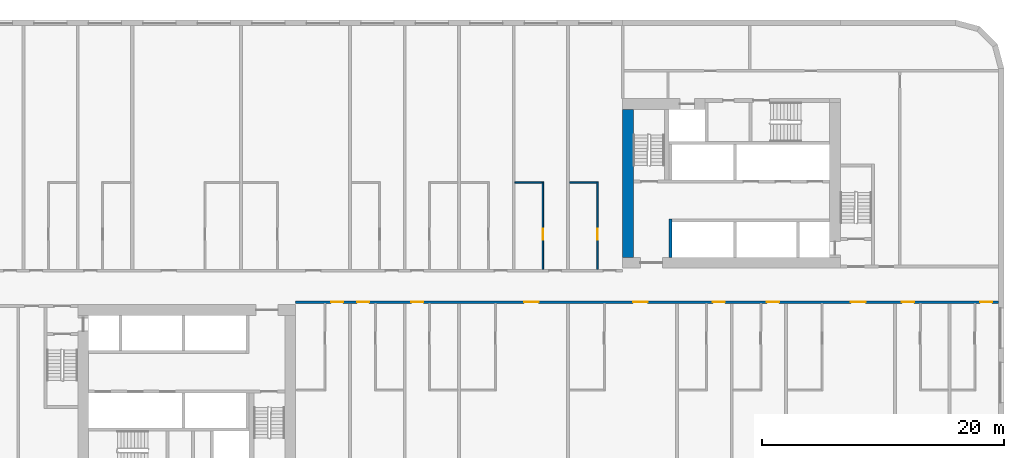
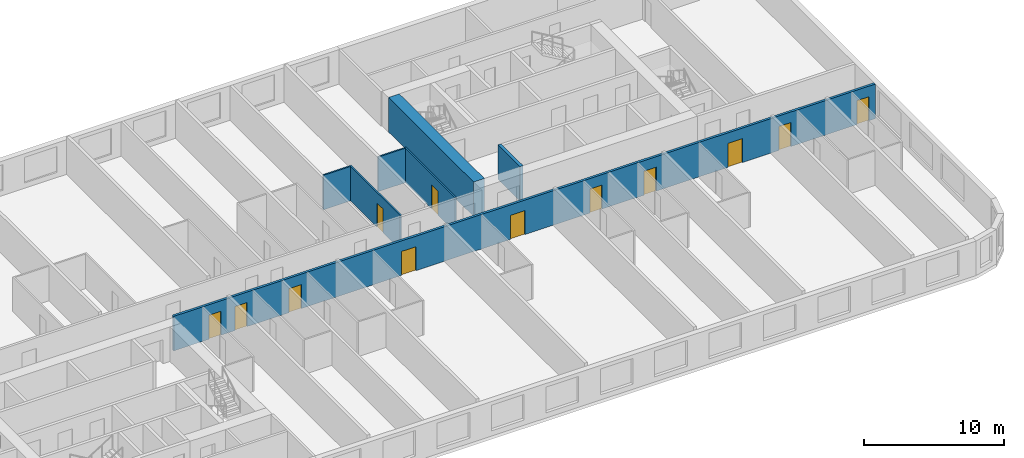
# One storey, part 5 of 12: 12 doors, 7 walls, 12 openings.
"""IFC4 building model written with IfcOpenShell, lengths in metres."""

from ifc_helpers import new_model, si_unit, direction, frame, frame_2d, origin, place, context, subcontext, project, spatial, rectangle, extrude, material, layer, layer_set, type_object, element, fill, save


model = new_model("IFC4")

# Units and contexts
model_context = context("Model", 3, precision=1e-05, world=origin(), true_north=direction((0.0, 1.0)))
body_context = subcontext(model_context, "Body", "Model", "MODEL_VIEW")
ifc_project = project(units=[si_unit("LENGTHUNIT", "METRE"), si_unit("AREAUNIT", "SQUARE_METRE"), si_unit("VOLUMEUNIT", "CUBIC_METRE"), si_unit("PLANEANGLEUNIT", "RADIAN"), si_unit("MASSUNIT", "GRAM", prefix="KILO")], contexts=[model_context])

# Site, building, storey
site_placement = place(None, origin())
site = spatial("IfcSite", under=ifc_project, at=site_placement, CompositionType="ELEMENT")
building_placement = place(site_placement, origin())
building = spatial("IfcBuilding", under=site, at=building_placement, Name="Kajstack Hotel Tower", CompositionType="ELEMENT")
storey_placement = place(building_placement, frame((0.0, 0.0, 73.199951171875)))
storey = spatial("IfcBuildingStorey", under=building, at=storey_placement, Name="L13", CompositionType="ELEMENT", Elevation=73.199951171875)

# Wall
ifc_material_1 = material(Name="Concrete C60/75", Category="concrete")
ifc_layer_1 = layer(ifc_material_1, 0.89990234375)
ifc_layer_set_1 = layer_set([ifc_layer_1], Name="Core wall 900")
wall_type_1 = type_object("IfcWallType", Name="Core wall 900", PredefinedType="SHEAR", material=ifc_layer_set_1)
wall_1_placement = place(storey_placement, frame((13.949951171875, 2.39990234375, 0.0), z_axis=(0.0, 0.0, 1.0), x_axis=(0.0, 1.0, 0.0)))
element("IfcWall", 1, at=wall_1_placement, inside=storey, type_object=wall_type_1, Name="Core wall E RE", PredefinedType="SHEAR", context=body_context, shape_type="SweptSolid", body=[
    extrude(rectangle(XDim=12.2001953125, YDim=0.89990234375, at=frame_2d((6.10009765625, 0.0))), origin(), (0.0, 0.0, 1.0), 3.02001953125),
])

# Wall, openings, doors
ifc_material_2 = material(Name="Gypsum board on steel studs, mineral wool", Category="steel")
ifc_layer_2 = layer(ifc_material_2, 0.199951171875)
ifc_layer_set_2 = layer_set([ifc_layer_2], Name="Corridor wall 200")
wall_type_2 = type_object("IfcWallType", Name="Corridor wall 200", PredefinedType="PARTITIONING", material=ifc_layer_set_2)
wall_2_placement = place(storey_placement, frame((-13.5, -1.300048828125, 0.0), z_axis=(0.0, 0.0, 1.0), x_axis=(1.0, 0.0, 0.0)))
wall_2 = element("IfcWall", 2, at=wall_2_placement, inside=storey, type_object=wall_type_2, Name="G-wall-L13-029", PredefinedType="PARTITIONING", context=body_context, shape_type="SweptSolid", body=[
    extrude(rectangle(XDim=58.050048828125, YDim=0.199951171875, at=frame_2d((29.02490234375, 0.0))), origin(), (0.0, 0.0, 1.0), 3.02001953125),
])
opening_1_placement = place(wall_2_placement, frame((2.925048828125, 0.0, 0.0)))
opening_1 = element("IfcOpeningElement", 3, at=opening_1_placement, cuts=wall_2, Name="Opening 13023", PredefinedType="OPENING", context=body_context, shape_type="SweptSolid", body=[
    extrude(rectangle(XDim=1.0, YDim=2.10009765625, at=frame_2d((0.5, 1.050048828125))), frame((0.0, 0.10986328125, 0.0), z_axis=(0.0, -1.0, 0.0), x_axis=(1.0, 0.0, 0.0)), (0.0, 0.0, 1.0), 0.219970703125),
])
opening_2_placement = place(wall_2_placement, frame((5.074951171875, 0.0, 0.0)))
opening_2 = element("IfcOpeningElement", 4, at=opening_2_placement, cuts=wall_2, Name="Opening 13025", PredefinedType="OPENING", context=body_context, shape_type="SweptSolid", body=[
    extrude(rectangle(XDim=1.0, YDim=2.10009765625, at=frame_2d((0.5, 1.050048828125))), frame((0.0, 0.10986328125, 0.0), z_axis=(0.0, -1.0, 0.0), x_axis=(1.0, 0.0, 0.0)), (0.0, 0.0, 1.0), 0.219970703125),
])
opening_3_placement = place(wall_2_placement, frame((9.550048828125, 0.0, 0.0)))
opening_3 = element("IfcOpeningElement", 5, at=opening_3_placement, cuts=wall_2, Name="Opening 13027", PredefinedType="OPENING", context=body_context, shape_type="SweptSolid", body=[
    extrude(rectangle(XDim=1.0, YDim=2.10009765625, at=frame_2d((0.5, 1.050048828125))), frame((0.0, 0.10986328125, 0.0), z_axis=(0.0, -1.0, 0.0), x_axis=(1.0, 0.0, 0.0)), (0.0, 0.0, 1.0), 0.219970703125),
])
opening_4_placement = place(wall_2_placement, frame((18.862060546875, 0.0, 0.0)))
opening_4 = element("IfcOpeningElement", 6, at=opening_4_placement, cuts=wall_2, Name="Opening 13029", PredefinedType="OPENING", context=body_context, shape_type="SweptSolid", body=[
    extrude(rectangle(XDim=1.199951171875, YDim=2.10009765625, at=frame_2d((0.60009765625, 1.050048828125))), frame((0.0, 0.10986328125, 0.0), z_axis=(0.0, -1.0, 0.0), x_axis=(1.0, 0.0, 0.0)), (0.0, 0.0, 1.0), 0.219970703125),
])
opening_5_placement = place(wall_2_placement, frame((27.862060546875, 0.0, 0.0)))
opening_5 = element("IfcOpeningElement", 7, at=opening_5_placement, cuts=wall_2, Name="Opening 13031", PredefinedType="OPENING", context=body_context, shape_type="SweptSolid", body=[
    extrude(rectangle(XDim=1.199951171875, YDim=2.10009765625, at=frame_2d((0.60009765625, 1.050048828125))), frame((0.0, 0.10986328125, 0.0), z_axis=(0.0, -1.0, 0.0), x_axis=(1.0, 0.0, 0.0)), (0.0, 0.0, 1.0), 0.219970703125),
])
opening_6_placement = place(wall_2_placement, frame((34.449951171875, 0.0, 0.0)))
opening_6 = element("IfcOpeningElement", 8, at=opening_6_placement, cuts=wall_2, Name="Opening 13033", PredefinedType="OPENING", context=body_context, shape_type="SweptSolid", body=[
    extrude(rectangle(XDim=1.0, YDim=2.10009765625, at=frame_2d((0.5, 1.050048828125))), frame((0.0, 0.10986328125, 0.0), z_axis=(0.0, -1.0, 0.0), x_axis=(1.0, 0.0, 0.0)), (0.0, 0.0, 1.0), 0.219970703125),
])
opening_7_placement = place(wall_2_placement, frame((38.925048828125, 0.0, 0.0)))
opening_7 = element("IfcOpeningElement", 9, at=opening_7_placement, cuts=wall_2, Name="Opening 13035", PredefinedType="OPENING", context=body_context, shape_type="SweptSolid", body=[
    extrude(rectangle(XDim=1.0, YDim=2.10009765625, at=frame_2d((0.5, 1.050048828125))), frame((0.0, 0.10986328125, 0.0), z_axis=(0.0, -1.0, 0.0), x_axis=(1.0, 0.0, 0.0)), (0.0, 0.0, 1.0), 0.219970703125),
])
opening_8_placement = place(wall_2_placement, frame((45.862060546875, 0.0, 0.0)))
opening_8 = element("IfcOpeningElement", 10, at=opening_8_placement, cuts=wall_2, Name="Opening 13037", PredefinedType="OPENING", context=body_context, shape_type="SweptSolid", body=[
    extrude(rectangle(XDim=1.199951171875, YDim=2.10009765625, at=frame_2d((0.60009765625, 1.050048828125))), frame((0.0, 0.10986328125, 0.0), z_axis=(0.0, -1.0, 0.0), x_axis=(1.0, 0.0, 0.0)), (0.0, 0.0, 1.0), 0.219970703125),
])
opening_9_placement = place(wall_2_placement, frame((50.074951171875, 0.0, 0.0)))
opening_9 = element("IfcOpeningElement", 11, at=opening_9_placement, cuts=wall_2, Name="Opening 13039", PredefinedType="OPENING", context=body_context, shape_type="SweptSolid", body=[
    extrude(rectangle(XDim=1.0, YDim=2.10009765625, at=frame_2d((0.5, 1.050048828125))), frame((0.0, 0.10986328125, 0.0), z_axis=(0.0, -1.0, 0.0), x_axis=(1.0, 0.0, 0.0)), (0.0, 0.0, 1.0), 0.219970703125),
])
opening_10_placement = place(wall_2_placement, frame((56.52490234375, 0.0, 0.0)))
opening_10 = element("IfcOpeningElement", 12, at=opening_10_placement, cuts=wall_2, Name="Opening 13041", PredefinedType="OPENING", context=body_context, shape_type="SweptSolid", body=[
    extrude(rectangle(XDim=1.0, YDim=2.10009765625, at=frame_2d((0.5, 1.050048828125))), frame((0.0, 0.10986328125, 0.0), z_axis=(0.0, -1.0, 0.0), x_axis=(1.0, 0.0, 0.0)), (0.0, 0.0, 1.0), 0.219970703125),
])
ifc_material_3 = material(Name="Oak veneer on timber core, fire-rated leaf", Category="wood")
door_type_1 = type_object("IfcDoorType", Name="Flat entrance door 1000", OperationType="SINGLE_SWING_LEFT", PredefinedType="DOOR", material=ifc_material_3)
door_1_placement = place(opening_1_placement, origin())
door_1 = element("IfcDoor", 13, at=door_1_placement, inside=storey, type_object=door_type_1, Name="G-door-L13-23", OperationType="SINGLE_SWING_RIGHT", OverallHeight=2.10009765625, OverallWidth=1.0, PredefinedType="DOOR", context=body_context, shape_type="SweptSolid", body=[
    extrude(rectangle(XDim=1.0, YDim=2.10009765625, at=frame_2d((0.5, 1.050048828125))), frame((0.0, 0.02490234375, 0.0), z_axis=(0.0, -1.0, 0.0), x_axis=(1.0, 0.0, 0.0)), (0.0, 0.0, 1.0), 0.050048828125),
])
fill(opening_1, door_1)
door_2_placement = place(opening_2_placement, origin())
door_2 = element("IfcDoor", 14, at=door_2_placement, inside=storey, type_object=door_type_1, Name="G-door-L13-25", OperationType="SINGLE_SWING_RIGHT", OverallHeight=2.10009765625, OverallWidth=1.0, PredefinedType="DOOR", context=body_context, shape_type="SweptSolid", body=[
    extrude(rectangle(XDim=1.0, YDim=2.10009765625, at=frame_2d((0.5, 1.050048828125))), frame((0.0, 0.02490234375, 0.0), z_axis=(0.0, -1.0, 0.0), x_axis=(1.0, 0.0, 0.0)), (0.0, 0.0, 1.0), 0.050048828125),
])
fill(opening_2, door_2)
door_3_placement = place(opening_3_placement, origin())
door_3 = element("IfcDoor", 15, at=door_3_placement, inside=storey, type_object=door_type_1, Name="G-door-L13-27", OperationType="SINGLE_SWING_RIGHT", OverallHeight=2.10009765625, OverallWidth=1.0, PredefinedType="DOOR", context=body_context, shape_type="SweptSolid", body=[
    extrude(rectangle(XDim=1.0, YDim=2.10009765625, at=frame_2d((0.5, 1.050048828125))), frame((0.0, 0.02490234375, 0.0), z_axis=(0.0, -1.0, 0.0), x_axis=(1.0, 0.0, 0.0)), (0.0, 0.0, 1.0), 0.050048828125),
])
fill(opening_3, door_3)
door_4_placement = place(opening_6_placement, origin())
door_4 = element("IfcDoor", 16, at=door_4_placement, inside=storey, type_object=door_type_1, Name="G-door-L13-33", OperationType="SINGLE_SWING_LEFT", OverallHeight=2.10009765625, OverallWidth=1.0, PredefinedType="DOOR", context=body_context, shape_type="SweptSolid", body=[
    extrude(rectangle(XDim=1.0, YDim=2.10009765625, at=frame_2d((0.5, 1.050048828125))), frame((0.0, 0.02490234375, 0.0), z_axis=(0.0, -1.0, 0.0), x_axis=(1.0, 0.0, 0.0)), (0.0, 0.0, 1.0), 0.050048828125),
])
fill(opening_6, door_4)
door_5_placement = place(opening_7_placement, origin())
door_5 = element("IfcDoor", 17, at=door_5_placement, inside=storey, type_object=door_type_1, Name="G-door-L13-35", OperationType="SINGLE_SWING_RIGHT", OverallHeight=2.10009765625, OverallWidth=1.0, PredefinedType="DOOR", context=body_context, shape_type="SweptSolid", body=[
    extrude(rectangle(XDim=1.0, YDim=2.10009765625, at=frame_2d((0.5, 1.050048828125))), frame((0.0, 0.02490234375, 0.0), z_axis=(0.0, -1.0, 0.0), x_axis=(1.0, 0.0, 0.0)), (0.0, 0.0, 1.0), 0.050048828125),
])
fill(opening_7, door_5)
door_6_placement = place(opening_9_placement, origin())
door_6 = element("IfcDoor", 18, at=door_6_placement, inside=storey, type_object=door_type_1, Name="G-door-L13-39", OperationType="SINGLE_SWING_RIGHT", OverallHeight=2.10009765625, OverallWidth=1.0, PredefinedType="DOOR", context=body_context, shape_type="SweptSolid", body=[
    extrude(rectangle(XDim=1.0, YDim=2.10009765625, at=frame_2d((0.5, 1.050048828125))), frame((0.0, 0.02490234375, 0.0), z_axis=(0.0, -1.0, 0.0), x_axis=(1.0, 0.0, 0.0)), (0.0, 0.0, 1.0), 0.050048828125),
])
fill(opening_9, door_6)
door_7_placement = place(opening_10_placement, origin())
door_7 = element("IfcDoor", 19, at=door_7_placement, inside=storey, type_object=door_type_1, Name="G-door-L13-41", OperationType="SINGLE_SWING_LEFT", OverallHeight=2.10009765625, OverallWidth=1.0, PredefinedType="DOOR", context=body_context, shape_type="SweptSolid", body=[
    extrude(rectangle(XDim=1.0, YDim=2.10009765625, at=frame_2d((0.5, 1.050048828125))), frame((0.0, 0.02490234375, 0.0), z_axis=(0.0, -1.0, 0.0), x_axis=(1.0, 0.0, 0.0)), (0.0, 0.0, 1.0), 0.050048828125),
])
fill(opening_10, door_7)
door_type_2 = type_object("IfcDoorType", Name="Flat entrance door 1200", OperationType="SINGLE_SWING_LEFT", PredefinedType="DOOR", material=ifc_material_3)
door_8_placement = place(opening_4_placement, origin())
door_8 = element("IfcDoor", 20, at=door_8_placement, inside=storey, type_object=door_type_2, Name="G-door-L13-29", OperationType="SINGLE_SWING_LEFT", OverallHeight=2.10009765625, OverallWidth=1.199951171875, PredefinedType="DOOR", context=body_context, shape_type="SweptSolid", body=[
    extrude(rectangle(XDim=1.199951171875, YDim=2.10009765625, at=frame_2d((0.60009765625, 1.050048828125))), frame((0.0, 0.02490234375, 0.0), z_axis=(0.0, -1.0, 0.0), x_axis=(1.0, 0.0, 0.0)), (0.0, 0.0, 1.0), 0.050048828125),
])
fill(opening_4, door_8)
door_9_placement = place(opening_5_placement, origin())
door_9 = element("IfcDoor", 21, at=door_9_placement, inside=storey, type_object=door_type_2, Name="G-door-L13-31", OperationType="SINGLE_SWING_RIGHT", OverallHeight=2.10009765625, OverallWidth=1.199951171875, PredefinedType="DOOR", context=body_context, shape_type="SweptSolid", body=[
    extrude(rectangle(XDim=1.199951171875, YDim=2.10009765625, at=frame_2d((0.60009765625, 1.050048828125))), frame((0.0, 0.02490234375, 0.0), z_axis=(0.0, -1.0, 0.0), x_axis=(1.0, 0.0, 0.0)), (0.0, 0.0, 1.0), 0.050048828125),
])
fill(opening_5, door_9)
door_10_placement = place(opening_8_placement, origin())
door_10 = element("IfcDoor", 22, at=door_10_placement, inside=storey, type_object=door_type_2, Name="G-door-L13-37", OperationType="SINGLE_SWING_LEFT", OverallHeight=2.10009765625, OverallWidth=1.199951171875, PredefinedType="DOOR", context=body_context, shape_type="SweptSolid", body=[
    extrude(rectangle(XDim=1.199951171875, YDim=2.10009765625, at=frame_2d((0.60009765625, 1.050048828125))), frame((0.0, 0.02490234375, 0.0), z_axis=(0.0, -1.0, 0.0), x_axis=(1.0, 0.0, 0.0)), (0.0, 0.0, 1.0), 0.050048828125),
])
fill(opening_8, door_10)

# Wall, opening, door
ifc_material_4 = material(Name="Gypsum board and tiled backer on steel studs", Category="steel")
ifc_layer_3 = layer(ifc_material_4, 0.125)
ifc_layer_set_3 = layer_set([ifc_layer_3], Name="En-suite wall 125")
wall_type_3 = type_object("IfcWallType", Name="En-suite wall 125", PredefinedType="PARTITIONING", material=ifc_layer_set_3)
wall_3_placement = place(storey_placement, frame((6.912109375, 1.39990234375, 0.0), z_axis=(0.0, 0.0, 1.0), x_axis=(0.0, 1.0, 0.0)))
wall_3 = element("IfcWall", 23, at=wall_3_placement, inside=storey, type_object=wall_type_3, Name="G-wall-L13-025", PredefinedType="PARTITIONING", context=body_context, shape_type="SweptSolid", body=[
    extrude(rectangle(XDim=7.22509765625, YDim=0.125, at=frame_2d((3.612548828125, 0.0))), origin(), (0.0, 0.0, 1.0), 3.02001953125),
])
opening_11_placement = place(wall_3_placement, frame((2.449951171875, 0.0, 0.0)))
opening_11 = element("IfcOpeningElement", 24, at=opening_11_placement, cuts=wall_3, Name="Opening 13020", PredefinedType="OPENING", context=body_context, shape_type="SweptSolid", body=[
    extrude(rectangle(XDim=0.89990234375, YDim=2.10009765625, at=frame_2d((0.449951171875, 1.050048828125))), frame((0.0, 0.072509765625, 0.0), z_axis=(0.0, -1.0, 0.0), x_axis=(1.0, 0.0, 0.0)), (0.0, 0.0, 1.0), 0.14501953125),
])
ifc_material_5 = material(Name="Painted timber door leaf", Category="wood")
door_type_3 = type_object("IfcDoorType", Name="Room door 900", OperationType="SINGLE_SWING_LEFT", PredefinedType="DOOR", material=ifc_material_5)
door_11_placement = place(opening_11_placement, origin())
door_11 = element("IfcDoor", 25, at=door_11_placement, inside=storey, type_object=door_type_3, Name="G-door-L13-20", OperationType="SINGLE_SWING_RIGHT", OverallHeight=2.10009765625, OverallWidth=0.89990234375, PredefinedType="DOOR", context=body_context, shape_type="SweptSolid", body=[
    extrude(rectangle(XDim=0.89990234375, YDim=2.10009765625, at=frame_2d((0.449951171875, 1.050048828125))), frame((0.0, 0.02490234375, 0.0), z_axis=(0.0, -1.0, 0.0), x_axis=(1.0, 0.0, 0.0)), (0.0, 0.0, 1.0), 0.050048828125),
])
fill(opening_11, door_11)

# Wall
wall_4_placement = place(storey_placement, frame((4.60009765625, 8.56201171875, 0.0), z_axis=(0.0, 0.0, 1.0), x_axis=(1.0, 0.0, 0.0)))
element("IfcWall", 26, at=wall_4_placement, inside=storey, type_object=wall_type_3, Name="G-wall-L13-026", PredefinedType="PARTITIONING", context=body_context, shape_type="SweptSolid", body=[
    extrude(rectangle(XDim=2.25, YDim=0.125, at=frame_2d((1.125, 0.0))), origin(), (0.0, 0.0, 1.0), 3.02001953125),
])

# Wall, opening, door
wall_5_placement = place(storey_placement, frame((11.43798828125, 1.39990234375, 0.0), z_axis=(0.0, 0.0, 1.0), x_axis=(0.0, 1.0, 0.0)))
wall_5 = element("IfcWall", 27, at=wall_5_placement, inside=storey, type_object=wall_type_3, Name="G-wall-L13-027", PredefinedType="PARTITIONING", context=body_context, shape_type="SweptSolid", body=[
    extrude(rectangle(XDim=7.22509765625, YDim=0.125, at=frame_2d((3.612548828125, 0.0))), origin(), (0.0, 0.0, 1.0), 3.02001953125),
])
opening_12_placement = place(wall_5_placement, frame((2.449951171875, 0.0, 0.0)))
opening_12 = element("IfcOpeningElement", 28, at=opening_12_placement, cuts=wall_5, Name="Opening 13022", PredefinedType="OPENING", context=body_context, shape_type="SweptSolid", body=[
    extrude(rectangle(XDim=0.89990234375, YDim=2.10009765625, at=frame_2d((0.449951171875, 1.050048828125))), frame((0.0, 0.072509765625, 0.0), z_axis=(0.0, -1.0, 0.0), x_axis=(1.0, 0.0, 0.0)), (0.0, 0.0, 1.0), 0.14501953125),
])
door_12_placement = place(opening_12_placement, origin())
door_12 = element("IfcDoor", 29, at=door_12_placement, inside=storey, type_object=door_type_3, Name="G-door-L13-22", OperationType="SINGLE_SWING_RIGHT", OverallHeight=2.10009765625, OverallWidth=0.89990234375, PredefinedType="DOOR", context=body_context, shape_type="SweptSolid", body=[
    extrude(rectangle(XDim=0.89990234375, YDim=2.10009765625, at=frame_2d((0.449951171875, 1.050048828125))), frame((0.0, 0.02490234375, 0.0), z_axis=(0.0, -1.0, 0.0), x_axis=(1.0, 0.0, 0.0)), (0.0, 0.0, 1.0), 0.050048828125),
])
fill(opening_12, door_12)

# Walls
wall_6_placement = place(storey_placement, frame((9.125, 8.56201171875, 0.0), z_axis=(0.0, 0.0, 1.0), x_axis=(1.0, 0.0, 0.0)))
element("IfcWall", 30, at=wall_6_placement, inside=storey, type_object=wall_type_3, Name="G-wall-L13-028", PredefinedType="PARTITIONING", context=body_context, shape_type="SweptSolid", body=[
    extrude(rectangle(XDim=2.25, YDim=0.125, at=frame_2d((1.125, 0.0))), origin(), (0.0, 0.0, 1.0), 3.02001953125),
])
ifc_material_6 = material(Name="Concrete C50/60", Category="concrete")
ifc_layer_4 = layer(ifc_material_6, 0.25)
ifc_layer_set_4 = layer_set([ifc_layer_4], Name="Shaft wall 250")
wall_type_4 = type_object("IfcWallType", Name="Shaft wall 250", PredefinedType="SHEAR", material=ifc_layer_set_4)
wall_7_placement = place(storey_placement, frame((17.47509765625, 2.39990234375, 0.0), z_axis=(0.0, 0.0, 1.0), x_axis=(0.0, 1.0, 0.0)))
element("IfcWall", 31, at=wall_7_placement, inside=storey, type_object=wall_type_4, Name="Core wall E AE", PredefinedType="SHEAR", context=body_context, shape_type="SweptSolid", body=[
    extrude(rectangle(XDim=3.150146484375, YDim=0.25, at=frame_2d((1.5751953125, 0.0))), origin(), (0.0, 0.0, 1.0), 3.02001953125),
])

save(model, "model.ifc")
